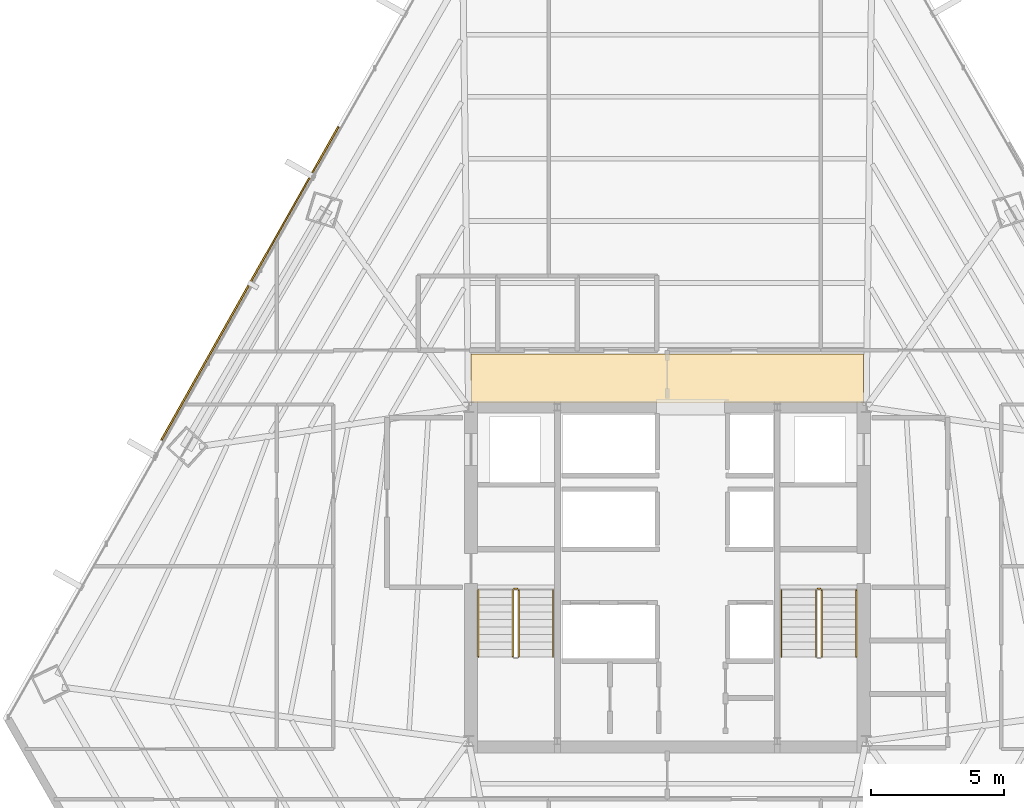
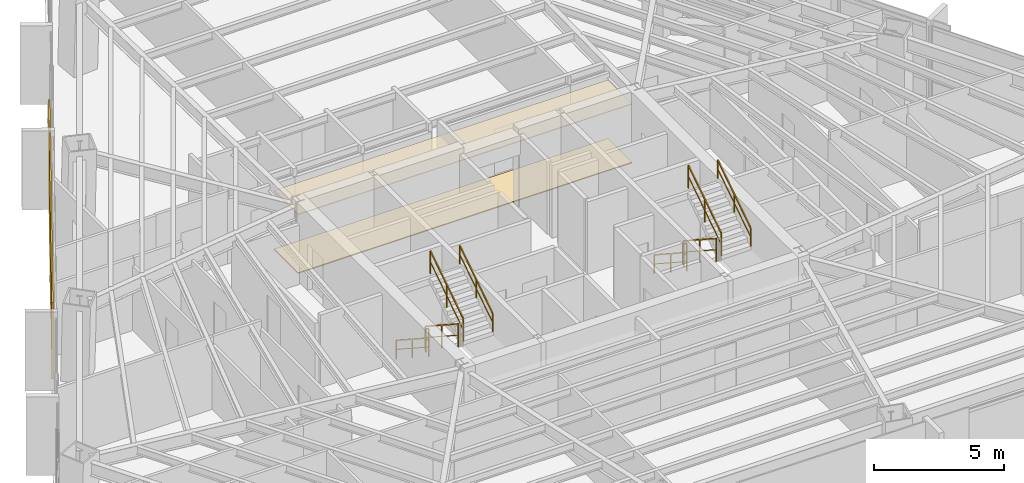
# One storey, part 34 of 35: 10 railings, 2 coverings, 1 shading device.
"""IFC4 building model written with IfcOpenShell, lengths in metres."""

import ifcopenshell
import ifcopenshell.guid

model = None  # the IFC model being written
_history = None  # IfcOwnerHistory: only IFC2X3 demands one
_inside = {}  # id of a spatial element -> (the spatial element, [elements in it])
_under = {}  # id of a project, library or spatial element -> (it, [spatial elements below it])
_declared = {}  # id of a project -> (the project, [libraries it declares])
_typed = {}  # id of a type object -> (the type object, [elements of that type])
_made_of = {}  # id of a material, layer set ... -> (it, [elements and type objects made of it])


def new_model(schema):
    """Start an empty IFC model of exactly this schema.

    Asked for "IFC4X3", IfcOpenShell would pick the latest addendum, in which some entities
    have other attributes; the version numbers below select the first issue.
    IFC2X3 requires an IfcOwnerHistory on every rooted entity: one is made here for all.
    """
    global model, _history
    if schema == "IFC4X3":
        model = ifcopenshell.file(schema_version=(4, 3, 0, 0))
    else:
        model = ifcopenshell.file(schema=schema)
    _inside.clear()
    _under.clear()
    _declared.clear()
    _typed.clear()
    _made_of.clear()
    _history = None
    if model.schema == "IFC2X3":
        org = make("IfcOrganization", Name="unknown")
        user = make(
            "IfcPersonAndOrganization",
            ThePerson=make("IfcPerson", FamilyName="unknown"),
            TheOrganization=org,
        )
        app = make(
            "IfcApplication",
            ApplicationDeveloper=org,
            Version="unknown",
            ApplicationFullName="unknown",
            ApplicationIdentifier="unknown",
        )
        _history = make(
            "IfcOwnerHistory",
            OwningUser=user,
            OwningApplication=app,
            ChangeAction="ADDED",
            CreationDate=0,
        )
    return model


def make(cls, **values):
    """One entity of the class cls with the attributes given. An attribute that is None is left unset."""
    return model.create_entity(
        cls, **{name: value for name, value in values.items() if value is not None}
    )


def rooted(cls, **values):
    """An entity with a GlobalId (a new one), such as an element, a storey or a relation."""
    return make(cls, GlobalId=ifcopenshell.guid.new(), OwnerHistory=_history, **values)


def si_unit(unit_type, name, prefix=None):
    """IfcSIUnit, for example si_unit("LENGTHUNIT", "METRE", prefix="MILLI")."""
    return make("IfcSIUnit", UnitType=unit_type, Prefix=prefix, Name=name)


def assignment(units):
    """IfcUnitAssignment: the units of a project."""
    return None if units is None else make("IfcUnitAssignment", Units=units)


def point(xyz):
    """IfcCartesianPoint."""
    return None if xyz is None else make("IfcCartesianPoint", Coordinates=xyz)


def direction(xyz):
    """IfcDirection."""
    return None if xyz is None else make("IfcDirection", DirectionRatios=xyz)


def frame(location, z_axis=None, x_axis=None):
    """IfcAxis2Placement3D, a coordinate frame: its origin and axes. An axis left out is left unset."""
    return make(
        "IfcAxis2Placement3D",
        Location=point(location),
        Axis=direction(z_axis),
        RefDirection=direction(x_axis),
    )


def frame_2d(location, x_axis=None):
    """IfcAxis2Placement2D, a coordinate frame in the plane: its origin and x axis."""
    return make(
        "IfcAxis2Placement2D", Location=point(location), RefDirection=direction(x_axis)
    )


def origin():
    """The frame at (0, 0, 0) with its axes left unset."""
    return frame((0.0, 0.0, 0.0))


def origin_2d():
    """The frame at (0, 0) in the plane with its x axis left unset."""
    return frame_2d((0.0, 0.0))


def place(relative_to, where):
    """IfcLocalPlacement: puts the frame where relative to a parent placement (None: the world)."""
    return make(
        "IfcLocalPlacement", PlacementRelTo=relative_to, RelativePlacement=where
    )


def context(
    kind, dimensions, precision=None, world=None, true_north=None, identifier=None
):
    """IfcGeometricRepresentationContext, for example the 3D "Model" context."""
    return make(
        "IfcGeometricRepresentationContext",
        ContextIdentifier=identifier,
        ContextType=kind,
        CoordinateSpaceDimension=dimensions,
        Precision=precision,
        WorldCoordinateSystem=world,
        TrueNorth=true_north,
    )


def subcontext(parent, identifier, kind, view, scale=None):
    """IfcGeometricRepresentationSubContext, for example "Body" below "Model"."""
    return make(
        "IfcGeometricRepresentationSubContext",
        ContextIdentifier=identifier,
        ContextType=kind,
        ParentContext=parent,
        TargetScale=scale,
        TargetView=view,
    )


def project(units=None, contexts=None):
    """IfcProject with its units and contexts."""
    return rooted(
        "IfcProject",
        Name="project",
        RepresentationContexts=contexts,
        UnitsInContext=assignment(units),
    )


def spatial(cls, under=None, at=None, **own):
    """A site, building, storey or space (cls), placed at a placement, below another one or the project."""
    s = rooted(cls, ObjectPlacement=at, **own)
    if under is not None:
        _under.setdefault(under.id(), (under, []))[1].append(s)
    return s


def polyline(points):
    """IfcPolyline through the points."""
    return make("IfcPolyline", Points=[point(p) for p in points])


def profile(cls, at=None, kind="AREA", **sizes):
    """A parametric profile (cls). Its sizes go by their IFC names, for example OverallWidth=200.0."""
    return make(cls, ProfileType=kind, Position=at, **sizes)


def rectangle(**sizes):
    """IfcRectangleProfileDef."""
    return profile("IfcRectangleProfileDef", **sizes)


def outline(outer, holes=None, kind="AREA"):
    """IfcArbitraryClosedProfileDef: a profile drawn as a closed curve; with holes, ...WithVoids."""
    if holes is None:
        return make("IfcArbitraryClosedProfileDef", ProfileType=kind, OuterCurve=outer)
    return make(
        "IfcArbitraryProfileDefWithVoids",
        ProfileType=kind,
        OuterCurve=outer,
        InnerCurves=holes,
    )


def extrude(swept, where, along, depth):
    """IfcExtrudedAreaSolid: the profile swept, set in the frame where, extruded along a direction by depth."""
    return make(
        "IfcExtrudedAreaSolid",
        SweptArea=swept,
        Position=where,
        ExtrudedDirection=direction(along),
        Depth=depth,
    )


def shape(context_of_items, identifier, shape_type, items):
    """IfcShapeRepresentation: the items that make up one representation, for example the "Body"."""
    return make(
        "IfcShapeRepresentation",
        ContextOfItems=context_of_items,
        RepresentationIdentifier=identifier,
        RepresentationType=shape_type,
        Items=items,
    )


def source(mapping_origin, context_of_items, identifier, shape_type, items):
    """IfcRepresentationMap: a shape defined once, which mapped items show again and again."""
    return make(
        "IfcRepresentationMap",
        MappingOrigin=mapping_origin,
        MappedRepresentation=shape(context_of_items, identifier, shape_type, items),
    )


def transform(
    local_origin,
    x_axis=None,
    y_axis=None,
    z_axis=None,
    scale=None,
    scale2=None,
    scale3=None,
    uniform=True,
):
    """IfcCartesianTransformationOperator3D, or its non-uniform kind. x_axis, y_axis, z_axis: its Axis1, 2, 3."""
    if uniform:
        return make(
            "IfcCartesianTransformationOperator3D",
            Axis1=direction(x_axis),
            Axis2=direction(y_axis),
            LocalOrigin=point(local_origin),
            Scale=scale,
            Axis3=direction(z_axis),
        )
    return make(
        "IfcCartesianTransformationOperator3DnonUniform",
        Axis1=direction(x_axis),
        Axis2=direction(y_axis),
        LocalOrigin=point(local_origin),
        Scale=scale,
        Axis3=direction(z_axis),
        Scale2=scale2,
        Scale3=scale3,
    )


def mapped(mapping_source, mapping_target):
    """IfcMappedItem: shows the shape of a source again, moved by a transform."""
    return make(
        "IfcMappedItem", MappingSource=mapping_source, MappingTarget=mapping_target
    )


def material(Name=None, Category=None):
    """IfcMaterial."""
    return make("IfcMaterial", Name=Name, Category=Category)


def layer(
    of_material, thickness, ventilated=None, Name=None, Category=None, Priority=None
):
    """IfcMaterialLayer: one layer of a wall or slab, of a material (None: an air gap)."""
    return make(
        "IfcMaterialLayer",
        Material=of_material,
        LayerThickness=thickness,
        IsVentilated=ventilated,
        Name=Name,
        Category=Category,
        Priority=Priority,
    )


def layer_set(layers, Name=None):
    """IfcMaterialLayerSet."""
    return make("IfcMaterialLayerSet", MaterialLayers=layers, LayerSetName=Name)


def made_of(thing, what):
    """Note that an element or type object is made of a material, layer set ...; save() writes the relation."""
    if what is not None:
        _made_of.setdefault(what.id(), (what, []))[1].append(thing)
    return thing


def type_object(cls, material=None, **own):
    """A type object (cls), such as IfcWallType, which elements share."""
    return made_of(rooted(cls, **own), material)


def type_shapes(of_type, sources):
    """Give a type object the sources (RepresentationMaps) that its elements show as mapped items."""
    of_type.RepresentationMaps = sources


def element(
    cls,
    number,
    at=None,
    inside=None,
    cuts=None,
    type_object=None,
    material=None,
    context=None,
    identifier="Body",
    shape_type=None,
    held_by="IfcProductDefinitionShape",
    body=None,
    shapes=None,
    **own,
):
    """One element of the class cls, such as IfcWall. Its Tag is "e" and its number.

    at: its placement. inside: the storey or other place that contains it. cuts: it is an
    opening in that element (IfcRelVoidsElement). A single representation is given by context,
    identifier, shape_type and body (its items); several are given by shapes. held_by: the class
    of the entity that holds the representations. save() writes the other relations.
    """
    e = rooted(cls, Tag="e%d" % number, ObjectPlacement=at, **own)
    if body is not None:
        shapes = [shape(context, identifier, shape_type, body)]
    if shapes is not None:
        e.Representation = make(held_by, Representations=shapes)
    if inside is not None:
        _inside.setdefault(inside.id(), (inside, []))[1].append(e)
    if cuts is not None:
        rooted(
            "IfcRelVoidsElement", RelatingBuildingElement=cuts, RelatedOpeningElement=e
        )
    if type_object is not None:
        _typed.setdefault(type_object.id(), (type_object, []))[1].append(e)
    return made_of(e, material)


def aggregate(whole, parts):
    """IfcRelAggregates: a whole, such as a stair, and the parts it consists of."""
    return rooted("IfcRelAggregates", RelatingObject=whole, RelatedObjects=parts)


def save(model, path):
    """Write the relations noted so far, then the file.

    IfcRelAggregates (storeys below a building ...), IfcRelContainedInSpatialStructure (elements
    in a storey), IfcRelDefinesByType, IfcRelAssociatesMaterial and IfcRelDeclares: one each for
    every whole, place, type object, material and project.
    """
    for whole, parts in _under.values():
        aggregate(whole, parts)
    for where, things in _inside.values():
        rooted(
            "IfcRelContainedInSpatialStructure",
            RelatedElements=things,
            RelatingStructure=where,
        )
    for kind, things in _typed.values():
        rooted("IfcRelDefinesByType", RelatedObjects=things, RelatingType=kind)
    for what, things in _made_of.values():
        rooted("IfcRelAssociatesMaterial", RelatedObjects=things, RelatingMaterial=what)
    for by, libraries in _declared.values():
        rooted("IfcRelDeclares", RelatingContext=by, RelatedDefinitions=libraries)
    model.write(path)


model = new_model("IFC4")

# Units and contexts
model_context = context("Model", 3, precision=1e-05, world=origin(), true_north=direction((0.0, 1.0)))
body_context = subcontext(model_context, "Body", "Model", "MODEL_VIEW")
ifc_project = project(units=[si_unit("LENGTHUNIT", "METRE"), si_unit("AREAUNIT", "SQUARE_METRE"), si_unit("VOLUMEUNIT", "CUBIC_METRE"), si_unit("PLANEANGLEUNIT", "RADIAN"), si_unit("MASSUNIT", "GRAM", prefix="KILO")], contexts=[model_context])

# Site, building, storey
site_placement = place(None, origin())
site = spatial("IfcSite", under=ifc_project, at=site_placement, CompositionType="ELEMENT")
building_placement = place(site_placement, origin())
building = spatial("IfcBuilding", under=site, at=building_placement, Name="Caelisora Broadcast Tower", CompositionType="ELEMENT")
storey_placement = place(building_placement, frame((0.0, 0.0, 90.800048828125)))
storey = spatial("IfcBuildingStorey", under=building, at=storey_placement, Name="L23", CompositionType="ELEMENT", Elevation=90.800048828125)

# Coverings
ifc_material_1 = material(Name="Perforated Mineral-Fibre Acoustic Ceiling Tile", Category="gypsum")
ifc_layer_1 = layer(ifc_material_1, 0.034912109375, Name="Perforated Mineral-Fibre Acoustic Ceiling Tile")
ifc_layer_set_1 = layer_set([ifc_layer_1], Name="Perforated Mineral-Fibre Acoustic Ceiling Tile")
covering_type_1 = type_object("IfcCoveringType", Name="CE-1", PredefinedType="CEILING", material=ifc_layer_set_1)
covering_1_placement = place(storey_placement, frame((0.0, 0.0, 2.75)))
element("IfcCovering", 1, at=covering_1_placement, inside=storey, type_object=covering_type_1, Name="L23 acoustic corridor ceiling CE-1 (N)", PredefinedType="CEILING", context=body_context, shape_type="SweptSolid", body=[
    extrude(outline(polyline([(30.60009765625, 30.14990234375), (45.39990234375, 30.14990234375), (45.39990234375, 32.0), (30.60009765625, 32.0), (30.60009765625, 30.14990234375)])), origin(), (0.0, 0.0, 1.0), 0.034912109375),
])
ifc_material_2 = material(Name="Anti-Static Broadcast Raised Access Floor Panel", Category="steel")
ifc_layer_2 = layer(ifc_material_2, 0.044921875, Name="Anti-Static Broadcast Raised Access Floor Panel")
ifc_layer_set_2 = layer_set([ifc_layer_2], Name="Anti-Static Broadcast Raised Access Floor Panel")
covering_type_2 = type_object("IfcCoveringType", Name="FL-1", PredefinedType="FLOORING", material=ifc_layer_set_2)
covering_2_placement = place(storey_placement, origin())
element("IfcCovering", 2, at=covering_2_placement, inside=storey, type_object=covering_type_2, Name="L23 broadcast raised access floor FL-1 (N)", PredefinedType="FLOORING", context=body_context, shape_type="SweptSolid", body=[
    extrude(outline(polyline([(30.60009765625, 30.14990234375), (45.39990234375, 30.14990234375), (45.39990234375, 32.0), (30.60009765625, 32.0), (30.60009765625, 30.14990234375)])), origin(), (0.0, 0.0, 1.0), 0.044921875),
])

# Railings
ifc_material_3 = material(Name="Galvanised Steel Safety Guardrail", Category="steel")
ifc_layer_3 = layer(ifc_material_3, 0.048095703125, Name="Galvanised Steel Safety Guardrail")
ifc_layer_set_3 = layer_set([ifc_layer_3], Name="Galvanised Steel Safety Guardrail")
railing_type_1 = type_object("IfcRailingType", Name="GR-1", PredefinedType="GUARDRAIL", material=ifc_layer_set_3)
railing_1_placement = place(storey_placement, frame((32.169921875, 23.10009765625, 0.182373046875)))
element("IfcRailing", 3, at=railing_1_placement, inside=storey, type_object=railing_type_1, Name="L23 ST-1 stair guard 1", PredefinedType="GUARDRAIL", context=body_context, shape_type="SweptSolid", body=[
    extrude(rectangle(XDim=0.048095703125, YDim=0.048095703125, at=origin_2d()), frame((0.0, 0.0, 1.076171875), z_axis=(0.0, -0.837749427056, 0.546054848405), x_axis=(1.0, 0.0, 0.0)), (0.0, 0.0, 1.0), 3.008056640625),
    extrude(rectangle(XDim=0.03125, YDim=0.03125, at=origin_2d()), frame((0.0, 0.0, 0.550048828125), z_axis=(0.0, -0.837749427056, 0.546054848405), x_axis=(1.0, 0.0, 0.0)), (0.0, 0.0, 1.0), 3.008056640625),
    extrude(rectangle(XDim=0.0419921875, YDim=0.0419921875, at=origin_2d()), origin(), (0.0, 0.0, 1.0), 1.052001953125),
    extrude(rectangle(XDim=0.0419921875, YDim=0.0419921875, at=origin_2d()), frame((0.0, -1.260009765625, 0.8212890625)), (0.0, 0.0, 1.0), 1.052001953125),
    extrude(rectangle(XDim=0.0419921875, YDim=0.0419921875, at=origin_2d()), frame((0.0, -2.52001953125, 1.642578125)), (0.0, 0.0, 1.0), 1.052001953125),
])
railing_2_placement = place(storey_placement, frame((32.389892578125, 20.580078125, 2.007568359375)))
element("IfcRailing", 4, at=railing_2_placement, inside=storey, type_object=railing_type_1, Name="L23 ST-1 stair guard 3", PredefinedType="GUARDRAIL", context=body_context, shape_type="SweptSolid", body=[
    extrude(rectangle(XDim=0.048095703125, YDim=0.048095703125, at=origin_2d()), frame((0.0, 0.0, 1.076171875), z_axis=(0.0, 0.837786554691, 0.545997883492), x_axis=(-1.0, 0.0, 0.0)), (0.0, 0.0, 1.0), 3.008056640625),
    extrude(rectangle(XDim=0.03125, YDim=0.03125, at=origin_2d()), frame((0.0, 0.0, 0.550048828125), z_axis=(0.0, 0.837786554691, 0.545997883492), x_axis=(-1.0, 0.0, 0.0)), (0.0, 0.0, 1.0), 3.008056640625),
    extrude(rectangle(XDim=0.0419921875, YDim=0.0419921875, at=origin_2d()), origin(), (0.0, 0.0, 1.0), 1.052001953125),
    extrude(rectangle(XDim=0.0419921875, YDim=0.0419921875, at=origin_2d()), frame((0.0, 1.260009765625, 0.8212890625)), (0.0, 0.0, 1.0), 1.052001953125),
    extrude(rectangle(XDim=0.0419921875, YDim=0.0419921875, at=origin_2d()), frame((0.0, 2.52001953125, 1.642333984375)), (0.0, 0.0, 1.0), 1.052001953125),
])
railing_3_placement = place(storey_placement, frame((32.219970703125, 23.14990234375, 0.0)))
element("IfcRailing", 5, at=railing_3_placement, inside=storey, type_object=railing_type_1, Name="L23 ST-1 stair guard 4", PredefinedType="GUARDRAIL", context=body_context, shape_type="SweptSolid", body=[
    extrude(rectangle(XDim=0.048095703125, YDim=0.048095703125, at=origin_2d()), frame((0.0, 0.0, 1.076171875), z_axis=(1.0, 0.0, 0.0), x_axis=(0.0, 1.0, 0.0)), (0.0, 0.0, 1.0), 0.1201171875),
    extrude(rectangle(XDim=0.03125, YDim=0.03125, at=origin_2d()), frame((0.0, 0.0, 0.550048828125), z_axis=(1.0, 0.0, 0.0), x_axis=(0.0, 1.0, 0.0)), (0.0, 0.0, 1.0), 0.1201171875),
    extrude(rectangle(XDim=0.0419921875, YDim=0.0419921875, at=origin_2d()), origin(), (0.0, 0.0, 1.0), 1.052001953125),
    extrude(rectangle(XDim=0.0419921875, YDim=0.0419921875, at=origin_2d()), frame((0.1201171875, 0.0, 0.0)), (0.0, 0.0, 1.0), 1.052001953125),
])
railing_4_placement = place(storey_placement, frame((43.610107421875, 23.10009765625, 0.182373046875)))
element("IfcRailing", 6, at=railing_4_placement, inside=storey, type_object=railing_type_1, Name="L23 ST-2 stair guard 1", PredefinedType="GUARDRAIL", context=body_context, shape_type="SweptSolid", body=[
    extrude(rectangle(XDim=0.048095703125, YDim=0.048095703125, at=origin_2d()), frame((0.0, 0.0, 1.076171875), z_axis=(0.0, -0.837749427056, 0.546054848405), x_axis=(1.0, 0.0, 0.0)), (0.0, 0.0, 1.0), 3.008056640625),
    extrude(rectangle(XDim=0.03125, YDim=0.03125, at=origin_2d()), frame((0.0, 0.0, 0.550048828125), z_axis=(0.0, -0.837749427056, 0.546054848405), x_axis=(1.0, 0.0, 0.0)), (0.0, 0.0, 1.0), 3.008056640625),
    extrude(rectangle(XDim=0.0419921875, YDim=0.0419921875, at=origin_2d()), origin(), (0.0, 0.0, 1.0), 1.052001953125),
    extrude(rectangle(XDim=0.0419921875, YDim=0.0419921875, at=origin_2d()), frame((0.0, -1.260009765625, 0.8212890625)), (0.0, 0.0, 1.0), 1.052001953125),
    extrude(rectangle(XDim=0.0419921875, YDim=0.0419921875, at=origin_2d()), frame((0.0, -2.52001953125, 1.642578125)), (0.0, 0.0, 1.0), 1.052001953125),
])
railing_5_placement = place(storey_placement, frame((43.830078125, 20.580078125, 2.007568359375)))
element("IfcRailing", 7, at=railing_5_placement, inside=storey, type_object=railing_type_1, Name="L23 ST-2 stair guard 3", PredefinedType="GUARDRAIL", context=body_context, shape_type="SweptSolid", body=[
    extrude(rectangle(XDim=0.048095703125, YDim=0.048095703125, at=origin_2d()), frame((0.0, 0.0, 1.076171875), z_axis=(0.0, 0.837786554691, 0.545997883492), x_axis=(-1.0, 0.0, 0.0)), (0.0, 0.0, 1.0), 3.008056640625),
    extrude(rectangle(XDim=0.03125, YDim=0.03125, at=origin_2d()), frame((0.0, 0.0, 0.550048828125), z_axis=(0.0, 0.837786554691, 0.545997883492), x_axis=(-1.0, 0.0, 0.0)), (0.0, 0.0, 1.0), 3.008056640625),
    extrude(rectangle(XDim=0.0419921875, YDim=0.0419921875, at=origin_2d()), origin(), (0.0, 0.0, 1.0), 1.052001953125),
    extrude(rectangle(XDim=0.0419921875, YDim=0.0419921875, at=origin_2d()), frame((0.0, 1.260009765625, 0.8212890625)), (0.0, 0.0, 1.0), 1.052001953125),
    extrude(rectangle(XDim=0.0419921875, YDim=0.0419921875, at=origin_2d()), frame((0.0, 2.52001953125, 1.642333984375)), (0.0, 0.0, 1.0), 1.052001953125),
])
railing_6_placement = place(storey_placement, frame((43.659912109375, 23.14990234375, 0.0)))
element("IfcRailing", 8, at=railing_6_placement, inside=storey, type_object=railing_type_1, Name="L23 ST-2 stair guard 4", PredefinedType="GUARDRAIL", context=body_context, shape_type="SweptSolid", body=[
    extrude(rectangle(XDim=0.048095703125, YDim=0.048095703125, at=origin_2d()), frame((0.0, 0.0, 1.076171875), z_axis=(1.0, 0.0, 0.0), x_axis=(0.0, 1.0, 0.0)), (0.0, 0.0, 1.0), 0.1201171875),
    extrude(rectangle(XDim=0.03125, YDim=0.03125, at=origin_2d()), frame((0.0, 0.0, 0.550048828125), z_axis=(1.0, 0.0, 0.0), x_axis=(0.0, 1.0, 0.0)), (0.0, 0.0, 1.0), 0.1201171875),
    extrude(rectangle(XDim=0.0419921875, YDim=0.0419921875, at=origin_2d()), origin(), (0.0, 0.0, 1.0), 1.052001953125),
    extrude(rectangle(XDim=0.0419921875, YDim=0.0419921875, at=origin_2d()), frame((0.1201171875, 0.0, 0.0)), (0.0, 0.0, 1.0), 1.052001953125),
])
ifc_material_4 = material(Name="Stainless Steel Grade 316 Tubular Handrail", Category="steel")
ifc_layer_4 = layer(ifc_material_4, 0.048095703125, Name="Stainless Steel Grade 316 Tubular Handrail")
ifc_layer_set_4 = layer_set([ifc_layer_4], Name="Stainless Steel Grade 316 Tubular Handrail")
railing_type_2 = type_object("IfcRailingType", Name="HR-1", PredefinedType="HANDRAIL", material=ifc_layer_set_4)
railing_7_placement = place(storey_placement, frame((30.8701171875, 23.10009765625, 0.182373046875)))
element("IfcRailing", 9, at=railing_7_placement, inside=storey, type_object=railing_type_2, Name="L23 ST-1 stair handrail 1", PredefinedType="HANDRAIL", context=body_context, shape_type="SweptSolid", body=[
    extrude(rectangle(XDim=0.048095703125, YDim=0.048095703125, at=origin_2d()), frame((0.0, 0.0, 0.8759765625), z_axis=(0.0, -0.837749427056, 0.546054848405), x_axis=(1.0, 0.0, 0.0)), (0.0, 0.0, 1.0), 3.008056640625),
    extrude(rectangle(XDim=0.03125, YDim=0.03125, at=origin_2d()), frame((0.0, 0.0, 0.449951171875), z_axis=(0.0, -0.837749427056, 0.546054848405), x_axis=(1.0, 0.0, 0.0)), (0.0, 0.0, 1.0), 3.008056640625),
    extrude(rectangle(XDim=0.0419921875, YDim=0.0419921875, at=origin_2d()), origin(), (0.0, 0.0, 1.0), 0.851806640625),
    extrude(rectangle(XDim=0.0419921875, YDim=0.0419921875, at=origin_2d()), frame((0.0, -1.260009765625, 0.8212890625)), (0.0, 0.0, 1.0), 0.851806640625),
    extrude(rectangle(XDim=0.0419921875, YDim=0.0419921875, at=origin_2d()), frame((0.0, -2.52001953125, 1.642578125)), (0.0, 0.0, 1.0), 0.851806640625),
])
railing_8_placement = place(storey_placement, frame((33.68994140625, 20.580078125, 2.007568359375)))
element("IfcRailing", 10, at=railing_8_placement, inside=storey, type_object=railing_type_2, Name="L23 ST-1 stair handrail 2", PredefinedType="HANDRAIL", context=body_context, shape_type="SweptSolid", body=[
    extrude(rectangle(XDim=0.048095703125, YDim=0.048095703125, at=origin_2d()), frame((0.0, 0.0, 0.8759765625), z_axis=(0.0, 0.837786554691, 0.545997883492), x_axis=(-1.0, 0.0, 0.0)), (0.0, 0.0, 1.0), 3.008056640625),
    extrude(rectangle(XDim=0.03125, YDim=0.03125, at=origin_2d()), frame((0.0, 0.0, 0.449951171875), z_axis=(0.0, 0.837786554691, 0.545997883492), x_axis=(-1.0, 0.0, 0.0)), (0.0, 0.0, 1.0), 3.008056640625),
    extrude(rectangle(XDim=0.0419921875, YDim=0.0419921875, at=origin_2d()), origin(), (0.0, 0.0, 1.0), 0.851806640625),
    extrude(rectangle(XDim=0.0419921875, YDim=0.0419921875, at=origin_2d()), frame((0.0, 1.260009765625, 0.8212890625)), (0.0, 0.0, 1.0), 0.851806640625),
    extrude(rectangle(XDim=0.0419921875, YDim=0.0419921875, at=origin_2d()), frame((0.0, 2.52001953125, 1.642333984375)), (0.0, 0.0, 1.0), 0.851806640625),
])
railing_9_placement = place(storey_placement, frame((42.31005859375, 23.10009765625, 0.182373046875)))
element("IfcRailing", 11, at=railing_9_placement, inside=storey, type_object=railing_type_2, Name="L23 ST-2 stair handrail 1", PredefinedType="HANDRAIL", context=body_context, shape_type="SweptSolid", body=[
    extrude(rectangle(XDim=0.048095703125, YDim=0.048095703125, at=origin_2d()), frame((0.0, 0.0, 0.8759765625), z_axis=(0.0, -0.837749427056, 0.546054848405), x_axis=(1.0, 0.0, 0.0)), (0.0, 0.0, 1.0), 3.008056640625),
    extrude(rectangle(XDim=0.03125, YDim=0.03125, at=origin_2d()), frame((0.0, 0.0, 0.449951171875), z_axis=(0.0, -0.837749427056, 0.546054848405), x_axis=(1.0, 0.0, 0.0)), (0.0, 0.0, 1.0), 3.008056640625),
    extrude(rectangle(XDim=0.0419921875, YDim=0.0419921875, at=origin_2d()), origin(), (0.0, 0.0, 1.0), 0.851806640625),
    extrude(rectangle(XDim=0.0419921875, YDim=0.0419921875, at=origin_2d()), frame((0.0, -1.260009765625, 0.8212890625)), (0.0, 0.0, 1.0), 0.851806640625),
    extrude(rectangle(XDim=0.0419921875, YDim=0.0419921875, at=origin_2d()), frame((0.0, -2.52001953125, 1.642578125)), (0.0, 0.0, 1.0), 0.851806640625),
])
railing_10_placement = place(storey_placement, frame((45.1298828125, 20.580078125, 2.007568359375)))
element("IfcRailing", 12, at=railing_10_placement, inside=storey, type_object=railing_type_2, Name="L23 ST-2 stair handrail 2", PredefinedType="HANDRAIL", context=body_context, shape_type="SweptSolid", body=[
    extrude(rectangle(XDim=0.048095703125, YDim=0.048095703125, at=origin_2d()), frame((0.0, 0.0, 0.8759765625), z_axis=(0.0, 0.837786554691, 0.545997883492), x_axis=(-1.0, 0.0, 0.0)), (0.0, 0.0, 1.0), 3.008056640625),
    extrude(rectangle(XDim=0.03125, YDim=0.03125, at=origin_2d()), frame((0.0, 0.0, 0.449951171875), z_axis=(0.0, 0.837786554691, 0.545997883492), x_axis=(-1.0, 0.0, 0.0)), (0.0, 0.0, 1.0), 3.008056640625),
    extrude(rectangle(XDim=0.0419921875, YDim=0.0419921875, at=origin_2d()), origin(), (0.0, 0.0, 1.0), 0.851806640625),
    extrude(rectangle(XDim=0.0419921875, YDim=0.0419921875, at=origin_2d()), frame((0.0, 1.260009765625, 0.8212890625)), (0.0, 0.0, 1.0), 0.851806640625),
    extrude(rectangle(XDim=0.0419921875, YDim=0.0419921875, at=origin_2d()), frame((0.0, 2.52001953125, 1.642333984375)), (0.0, 0.0, 1.0), 0.851806640625),
])

# Shading device
ifc_material_5 = material(Name="Perforated Glazed Terracotta Baguette Solar Screen", Category="ceramic")
ifc_layer_5 = layer(ifc_material_5, 0.06494140625, Name="Perforated Glazed Terracotta Baguette Solar Screen")
ifc_layer_set_5 = layer_set([ifc_layer_5], Name="Perforated Glazed Terracotta Baguette Solar Screen")
shading_device_type = type_object("IfcShadingDeviceType", Name="SS-1", PredefinedType="USERDEFINED", material=ifc_layer_set_5)
shared_shape = source(origin(), body_context, "Body", "SweptSolid", [
    extrude(rectangle(XDim=13.5849609375, YDim=0.06494140625, at=origin_2d()), origin(), (0.0, 0.0, 1.0), 3.590087890625),
])
type_shapes(shading_device_type, [shared_shape])
shading_device_placement = place(storey_placement, frame((22.246337890625, 34.669921875, 0.0), z_axis=(0.0, 0.0, 1.0), x_axis=(-0.49181581725, -0.870699260309, 0.0)))
element("IfcShadingDevice", 13, at=shading_device_placement, inside=storey, type_object=shading_device_type, Name="L23 perforated terracotta solar screen #1", ObjectType="SOLAR SCREEN", PredefinedType="USERDEFINED", context=body_context, shape_type="MappedRepresentation", body=[
    mapped(shared_shape, transform((0.0, 0.0, 0.0), scale=1.0)),
])

save(model, "model.ifc")
